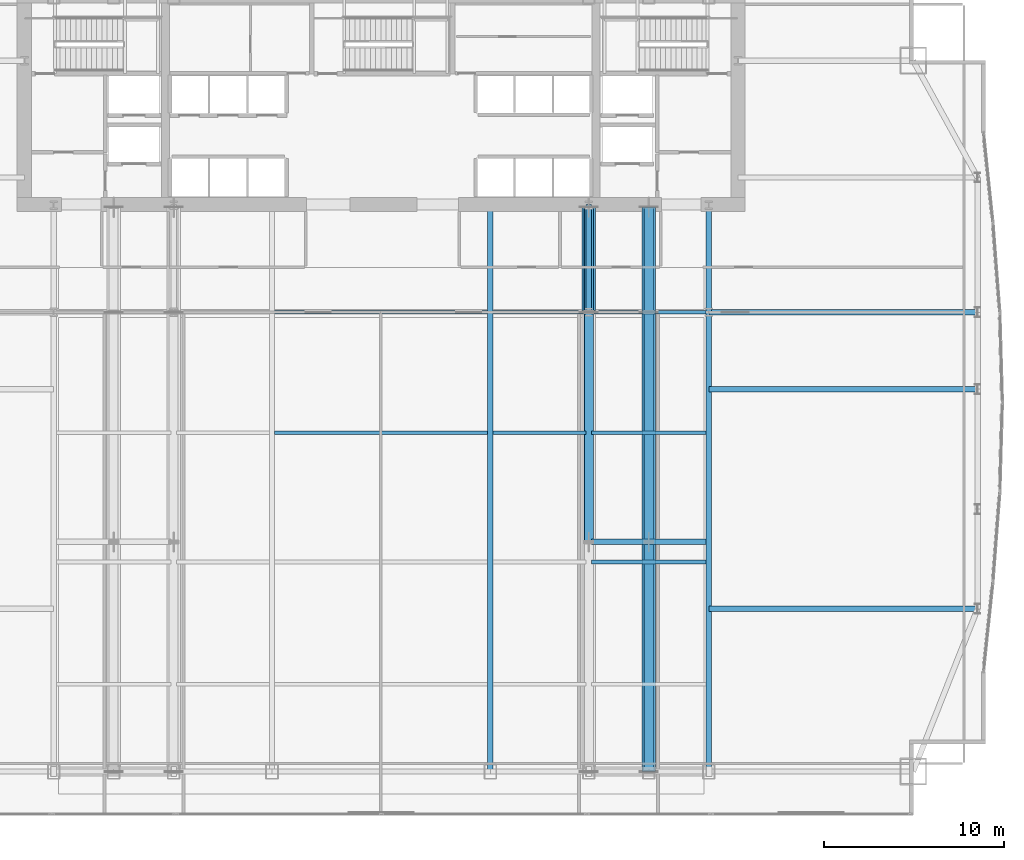
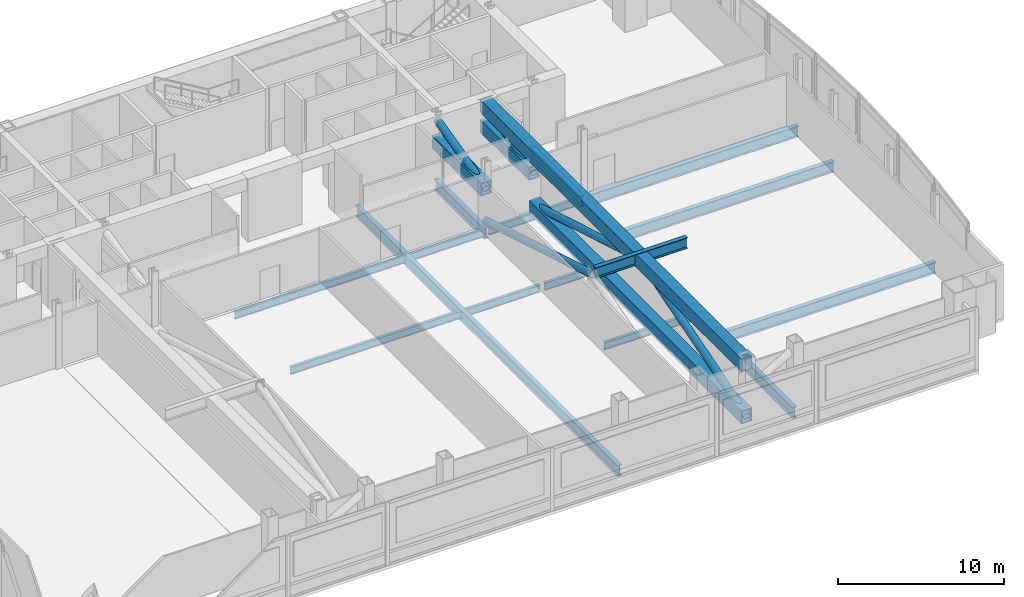
# One storey, part 16 of 32: 15 beams, 9 members.
"""IFC4 building model written with IfcOpenShell, lengths in metres."""

from ifc_helpers import new_model, si_unit, direction, frame, origin, origin_2d, place, context, subcontext, project, spatial, hollow_rectangle, hollow_circle, i_section, extrude, material, material_profile, profile_set, type_object, element, save


model = new_model("IFC4")

# Units and contexts
model_context = context("Model", 3, precision=1e-05, world=origin(), true_north=direction((0.0, 1.0)))
body_context = subcontext(model_context, "Body", "Model", "MODEL_VIEW")
ifc_project = project(units=[si_unit("LENGTHUNIT", "METRE"), si_unit("AREAUNIT", "SQUARE_METRE"), si_unit("VOLUMEUNIT", "CUBIC_METRE"), si_unit("PLANEANGLEUNIT", "RADIAN"), si_unit("MASSUNIT", "GRAM", prefix="KILO")], contexts=[model_context])

# Site, building, storey
site_placement = place(None, origin())
site = spatial("IfcSite", under=ifc_project, at=site_placement, CompositionType="ELEMENT")
building_placement = place(site_placement, origin())
building = spatial("IfcBuilding", under=site, at=building_placement, Name="Khoronbel Lancet Exchange", CompositionType="ELEMENT")
storey_placement = place(building_placement, frame((0.0, 0.0, 85.800048828125)))
storey = spatial("IfcBuildingStorey", under=building, at=storey_placement, Name="L20", CompositionType="ELEMENT", Elevation=85.800048828125)

# Beams
ifc_material_1 = material(Name="Steel S355", Category="steel")
ifc_material_profile_1 = material_profile(ifc_material_1, i_section(OverallWidth=0.300048828125, OverallDepth=0.800048828125, WebThickness=0.017578125, FlangeThickness=0.032958984375, at=origin_2d()), Name="HEB 800")
ifc_profile_set_1 = profile_set([ifc_material_profile_1], Name="Steel S355")
beam_type_1 = type_object("IfcBeamType", Name="BM-BG2", PredefinedType="BEAM", material=ifc_profile_set_1)
beam_1_placement = place(storey_placement, frame((42.52490234375, 10.14990234375, -0.6201171875), z_axis=(0.0, 1.0, 0.0), x_axis=(-1.0, 0.0, 0.0)))
element("IfcBeam", 1, at=beam_1_placement, inside=storey, type_object=beam_type_1, Name="Level L20 primary floor girder G4", PredefinedType="BEAM", context=body_context, shape_type="SweptSolid", body=[
    extrude(i_section(OverallWidth=0.300048828125, OverallDepth=0.800048828125, WebThickness=0.017578125, FlangeThickness=0.032958984375, at=origin_2d()), origin(), (0.0, 0.0, 1.0), 31.550048828125),
])
beam_2_placement = place(storey_placement, frame((48.0, 35.699951171875, -0.6201171875), z_axis=(0.0, 1.0, 0.0), x_axis=(-1.0, 0.0, 0.0)))
element("IfcBeam", 2, at=beam_2_placement, inside=storey, type_object=beam_type_1, Name="Level L20 spine tie girder GN5", PredefinedType="BEAM", context=body_context, shape_type="SweptSolid", body=[
    extrude(i_section(OverallWidth=0.300048828125, OverallDepth=0.800048828125, WebThickness=0.017578125, FlangeThickness=0.032958984375, at=origin_2d()), origin(), (0.0, 0.0, 1.0), 6.0),
])
beam_3_placement = place(storey_placement, frame((54.675048828125, 10.14990234375, -0.6201171875), z_axis=(0.0, 1.0, 0.0), x_axis=(-1.0, 0.0, 0.0)))
element("IfcBeam", 3, at=beam_3_placement, inside=storey, type_object=beam_type_1, Name="Level L20 south primary girder GS6", PredefinedType="BEAM", context=body_context, shape_type="SweptSolid", body=[
    extrude(i_section(OverallWidth=0.300048828125, OverallDepth=0.800048828125, WebThickness=0.017578125, FlangeThickness=0.032958984375, at=origin_2d()), origin(), (0.0, 0.0, 1.0), 25.550048828125),
])
beam_4_placement = place(storey_placement, frame((54.675048828125, 35.699951171875, -0.6201171875), z_axis=(0.0, 1.0, 0.0), x_axis=(-1.0, 0.0, 0.0)))
element("IfcBeam", 4, at=beam_4_placement, inside=storey, type_object=beam_type_1, Name="Level L20 spine tie girder GN6", PredefinedType="BEAM", context=body_context, shape_type="SweptSolid", body=[
    extrude(i_section(OverallWidth=0.300048828125, OverallDepth=0.800048828125, WebThickness=0.017578125, FlangeThickness=0.032958984375, at=origin_2d()), origin(), (0.0, 0.0, 1.0), 6.0),
])
for number, where, z_axis, x_axis, name in (
    (5, (54.675048828125, 19.199951171875, -0.6201171875), (1.0, 0.0, 0.0), (0.0, 1.0, 0.0), "Level L20 east lens tie girder LG1E"),
    (6, (54.675048828125, 31.425048828125, -0.6201171875), (1.0, 0.0, 0.0), (0.0, 1.0, 0.0), "Level L20 east lens tie girder LG2E"),
    (7, (54.675048828125, 35.699951171875, -0.6201171875), (1.0, 0.0, 0.0), (0.0, 1.0, 0.0), "Level L20 east lens tie girder LG4E"),
):
    element("IfcBeam", number, at=place(storey_placement, frame(where, z_axis=z_axis, x_axis=x_axis)), inside=storey, type_object=beam_type_1, Name=name, PredefinedType="BEAM", context=body_context, shape_type="SweptSolid", body=[
        extrude(i_section(OverallWidth=0.300048828125, OverallDepth=0.800048828125, WebThickness=0.017578125, FlangeThickness=0.032958984375, at=origin_2d()), origin(), (0.0, 0.0, 1.0), 14.954833984375),
    ])
beam_5_placement = place(storey_placement, frame((48.14990234375, 22.925048828125, 4.219970703125), z_axis=(1.0, 0.0, 0.0), x_axis=(0.0, 1.0, 0.0)))
element("IfcBeam", 8, at=beam_5_placement, inside=storey, type_object=beam_type_1, Name="Outrigger apex collector beam L20-E", PredefinedType="BEAM", context=body_context, shape_type="SweptSolid", body=[
    extrude(i_section(OverallWidth=0.300048828125, OverallDepth=0.800048828125, WebThickness=0.017578125, FlangeThickness=0.032958984375, at=origin_2d()), origin(), (0.0, 0.0, 1.0), 6.375),
])
ifc_material_profile_2 = material_profile(ifc_material_1, i_section(OverallWidth=0.2099609375, OverallDepth=0.550048828125, WebThickness=0.010986328125, FlangeThickness=0.01708984375, at=origin_2d()), Name="IPE 550")
ifc_profile_set_2 = profile_set([ifc_material_profile_2], Name="Steel S355")
beam_type_2 = type_object("IfcBeamType", Name="BM-BJ2", PredefinedType="JOIST", material=ifc_profile_set_2)
beam_6_placement = place(storey_placement, frame((48.14990234375, 21.800048828125, -0.4951171875), z_axis=(1.0, 0.0, 0.0), x_axis=(0.0, 1.0, 0.0)))
element("IfcBeam", 9, at=beam_6_placement, inside=storey, type_object=beam_type_2, Name="Level L20 secondary composite joist J10", PredefinedType="JOIST", context=body_context, shape_type="SweptSolid", body=[
    extrude(i_section(OverallWidth=0.2099609375, OverallDepth=0.550048828125, WebThickness=0.010986328125, FlangeThickness=0.01708984375, at=origin_2d()), origin(), (0.0, 0.0, 1.0), 6.375),
])
beam_7_placement = place(storey_placement, frame((30.52490234375, 29.0, -0.4951171875), z_axis=(1.0, 0.0, 0.0), x_axis=(0.0, 1.0, 0.0)))
element("IfcBeam", 10, at=beam_7_placement, inside=storey, type_object=beam_type_2, Name="Level L20 secondary composite joist J13", PredefinedType="JOIST", context=body_context, shape_type="SweptSolid", body=[
    extrude(i_section(OverallWidth=0.2099609375, OverallDepth=0.550048828125, WebThickness=0.010986328125, FlangeThickness=0.01708984375, at=origin_2d()), origin(), (0.0, 0.0, 1.0), 11.85009765625),
])
beam_8_placement = place(storey_placement, frame((42.675048828125, 29.0, -0.4951171875), z_axis=(1.0, 0.0, 0.0), x_axis=(0.0, 1.0, 0.0)))
element("IfcBeam", 11, at=beam_8_placement, inside=storey, type_object=beam_type_2, Name="Level L20 secondary composite joist J14", PredefinedType="JOIST", context=body_context, shape_type="SweptSolid", body=[
    extrude(i_section(OverallWidth=0.2099609375, OverallDepth=0.550048828125, WebThickness=0.010986328125, FlangeThickness=0.01708984375, at=origin_2d()), origin(), (0.0, 0.0, 1.0), 5.175048828125),
])
beam_9_placement = place(storey_placement, frame((48.14990234375, 29.0, -0.4951171875), z_axis=(1.0, 0.0, 0.0), x_axis=(0.0, 1.0, 0.0)))
element("IfcBeam", 12, at=beam_9_placement, inside=storey, type_object=beam_type_2, Name="Level L20 secondary composite joist J15", PredefinedType="JOIST", context=body_context, shape_type="SweptSolid", body=[
    extrude(i_section(OverallWidth=0.2099609375, OverallDepth=0.550048828125, WebThickness=0.010986328125, FlangeThickness=0.01708984375, at=origin_2d()), origin(), (0.0, 0.0, 1.0), 6.375),
])
beam_10_placement = place(storey_placement, frame((30.52490234375, 35.699951171875, -0.4951171875), z_axis=(1.0, 0.0, 0.0), x_axis=(0.0, 1.0, 0.0)))
element("IfcBeam", 13, at=beam_10_placement, inside=storey, type_object=beam_type_2, Name="Level L20 secondary composite joist J18", PredefinedType="JOIST", context=body_context, shape_type="SweptSolid", body=[
    extrude(i_section(OverallWidth=0.2099609375, OverallDepth=0.550048828125, WebThickness=0.010986328125, FlangeThickness=0.01708984375, at=origin_2d()), origin(), (0.0, 0.0, 1.0), 11.85009765625),
])
beam_11_placement = place(storey_placement, frame((42.675048828125, 35.699951171875, -0.4951171875), z_axis=(1.0, 0.0, 0.0), x_axis=(0.0, 1.0, 0.0)))
element("IfcBeam", 14, at=beam_11_placement, inside=storey, type_object=beam_type_2, Name="Level L20 secondary composite joist J19", PredefinedType="JOIST", context=body_context, shape_type="SweptSolid", body=[
    extrude(i_section(OverallWidth=0.2099609375, OverallDepth=0.550048828125, WebThickness=0.010986328125, FlangeThickness=0.01708984375, at=origin_2d()), origin(), (0.0, 0.0, 1.0), 5.175048828125),
])
beam_12_placement = place(storey_placement, frame((48.14990234375, 35.699951171875, -0.4951171875), z_axis=(1.0, 0.0, 0.0), x_axis=(0.0, 1.0, 0.0)))
element("IfcBeam", 15, at=beam_12_placement, inside=storey, type_object=beam_type_2, Name="Level L20 secondary composite joist J20", PredefinedType="JOIST", context=body_context, shape_type="SweptSolid", body=[
    extrude(i_section(OverallWidth=0.2099609375, OverallDepth=0.550048828125, WebThickness=0.010986328125, FlangeThickness=0.01708984375, at=origin_2d()), origin(), (0.0, 0.0, 1.0), 6.375),
])

# Members
ifc_material_2 = material(Name="Steel S460", Category="steel")
ifc_material_profile_3 = material_profile(ifc_material_2, hollow_circle(Radius=0.25390625, WallThickness=0.02490234375, at=origin_2d()), Name="CHS 508x25")
ifc_profile_set_3 = profile_set([ifc_material_profile_3], Name="Steel S460")
member_type_1 = type_object("IfcMemberType", Name="MEM-OBR2", PredefinedType="BRACE", material=ifc_profile_set_3)
member_1_placement = place(storey_placement, frame((48.0, 22.925048828125, 4.119873046875), z_axis=(0.0, 0.958086932884, -0.286477623971), x_axis=(-1.0, 0.0, 0.0)))
element("IfcMember", 16, at=member_1_placement, inside=storey, type_object=member_type_1, Name="Outrigger truss diagonal L20-3-2", PredefinedType="BRACE", context=body_context, shape_type="SweptSolid", body=[
    extrude(hollow_circle(Radius=0.25390625, WallThickness=0.02490234375, at=origin_2d()), origin(), (0.0, 0.0, 1.0), 13.333740234375),
])
member_2_placement = place(storey_placement, frame((48.0, 35.699951171875, 2.679931640625), z_axis=(0.0, 0.971018062108, 0.239006115112), x_axis=(-1.0, 0.0, 0.0)))
element("IfcMember", 17, at=member_2_placement, inside=storey, type_object=member_type_1, Name="Outrigger truss diagonal L20-3-3", PredefinedType="BRACE", context=body_context, shape_type="SweptSolid", body=[
    extrude(hollow_circle(Radius=0.25390625, WallThickness=0.02490234375, at=origin_2d()), origin(), (0.0, 0.0, 1.0), 6.024658203125),
])
member_3_placement = place(storey_placement, frame((51.33740234375, 10.14990234375, 0.300048828125), z_axis=(0.0, 0.958088435533, 0.286472598512), x_axis=(-1.0, 0.0, 0.0)))
element("IfcMember", 18, at=member_3_placement, inside=storey, type_object=member_type_1, Name="Outrigger truss diagonal L20-4-1", PredefinedType="BRACE", context=body_context, shape_type="SweptSolid", body=[
    extrude(hollow_circle(Radius=0.25390625, WallThickness=0.02490234375, at=origin_2d()), origin(), (0.0, 0.0, 1.0), 13.333984375),
])
member_4_placement = place(storey_placement, frame((51.33740234375, 22.925048828125, 4.119873046875), z_axis=(0.0, 0.958086932884, -0.286477623971), x_axis=(-1.0, 0.0, 0.0)))
element("IfcMember", 19, at=member_4_placement, inside=storey, type_object=member_type_1, Name="Outrigger truss diagonal L20-4-2", PredefinedType="BRACE", context=body_context, shape_type="SweptSolid", body=[
    extrude(hollow_circle(Radius=0.25390625, WallThickness=0.02490234375, at=origin_2d()), origin(), (0.0, 0.0, 1.0), 13.333740234375),
])
member_5_placement = place(storey_placement, frame((51.33740234375, 35.699951171875, 2.679931640625), z_axis=(0.0, 0.971018062108, 0.239006115112), x_axis=(-1.0, 0.0, 0.0)))
element("IfcMember", 20, at=member_5_placement, inside=storey, type_object=member_type_1, Name="Outrigger truss diagonal L20-4-3", PredefinedType="BRACE", context=body_context, shape_type="SweptSolid", body=[
    extrude(hollow_circle(Radius=0.25390625, WallThickness=0.02490234375, at=origin_2d()), origin(), (0.0, 0.0, 1.0), 6.024658203125),
])
ifc_material_profile_4 = material_profile(ifc_material_2, hollow_rectangle(XDim=0.75, YDim=0.949951171875, WallThickness=0.054931640625, at=origin_2d()), Name="BOX 950x750x55")
ifc_profile_set_4 = profile_set([ifc_material_profile_4], Name="Steel S460")
member_type_2 = type_object("IfcMemberType", Name="MEM-OCH2", PredefinedType="CHORD", material=ifc_profile_set_4)
member_6_placement = place(storey_placement, frame((48.0, 35.699951171875, 2.679931640625), z_axis=(0.0, 1.0, 0.0), x_axis=(-1.0, 0.0, 0.0)))
element("IfcMember", 21, at=member_6_placement, inside=storey, type_object=member_type_2, Name="Outrigger corridor portal tie chord L20-3-COR", PredefinedType="CHORD", context=body_context, shape_type="SweptSolid", body=[
    extrude(hollow_rectangle(XDim=0.75, YDim=0.949951171875, WallThickness=0.054931640625, at=origin_2d()), origin(), (0.0, 0.0, 1.0), 5.85009765625),
])
member_7_placement = place(storey_placement, frame((51.33740234375, 10.14990234375, 0.300048828125), z_axis=(0.0, 1.0, 0.0), x_axis=(-1.0, 0.0, 0.0)))
element("IfcMember", 22, at=member_7_placement, inside=storey, type_object=member_type_2, Name="Outrigger truss bottom chord L20-4-BOT", PredefinedType="CHORD", context=body_context, shape_type="SweptSolid", body=[
    extrude(hollow_rectangle(XDim=0.75, YDim=0.949951171875, WallThickness=0.054931640625, at=origin_2d()), origin(), (0.0, 0.0, 1.0), 25.550048828125),
])
member_8_placement = place(storey_placement, frame((51.33740234375, 35.699951171875, 2.679931640625), z_axis=(0.0, 1.0, 0.0), x_axis=(-1.0, 0.0, 0.0)))
element("IfcMember", 23, at=member_8_placement, inside=storey, type_object=member_type_2, Name="Outrigger corridor portal tie chord L20-4-COR", PredefinedType="CHORD", context=body_context, shape_type="SweptSolid", body=[
    extrude(hollow_rectangle(XDim=0.75, YDim=0.949951171875, WallThickness=0.054931640625, at=origin_2d()), origin(), (0.0, 0.0, 1.0), 5.85009765625),
])
member_9_placement = place(storey_placement, frame((51.33740234375, 10.14990234375, 4.119873046875), z_axis=(0.0, 1.0, 0.0), x_axis=(-1.0, 0.0, 0.0)))
element("IfcMember", 24, at=member_9_placement, inside=storey, type_object=member_type_2, Name="Outrigger truss top chord L20-4-TOP", PredefinedType="CHORD", context=body_context, shape_type="SweptSolid", body=[
    extrude(hollow_rectangle(XDim=0.75, YDim=0.949951171875, WallThickness=0.054931640625, at=origin_2d()), origin(), (0.0, 0.0, 1.0), 31.400146484375),
])

save(model, "model.ifc")
